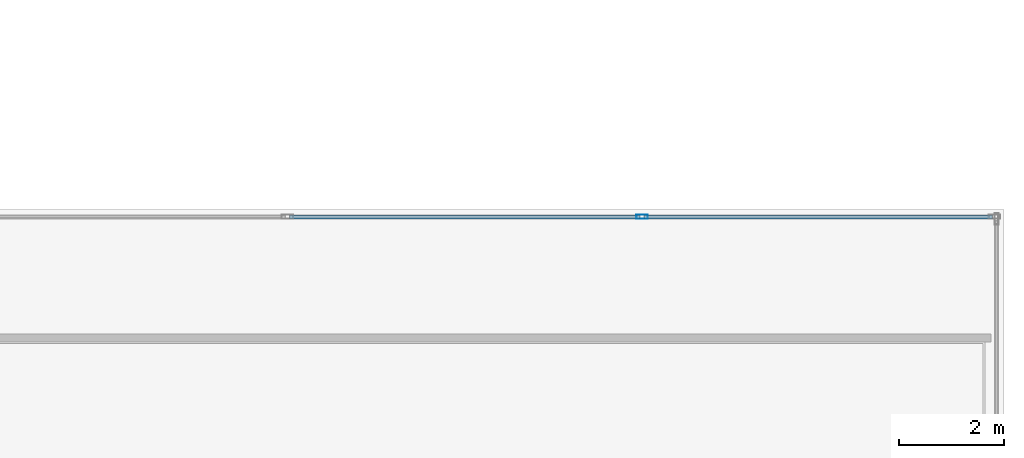
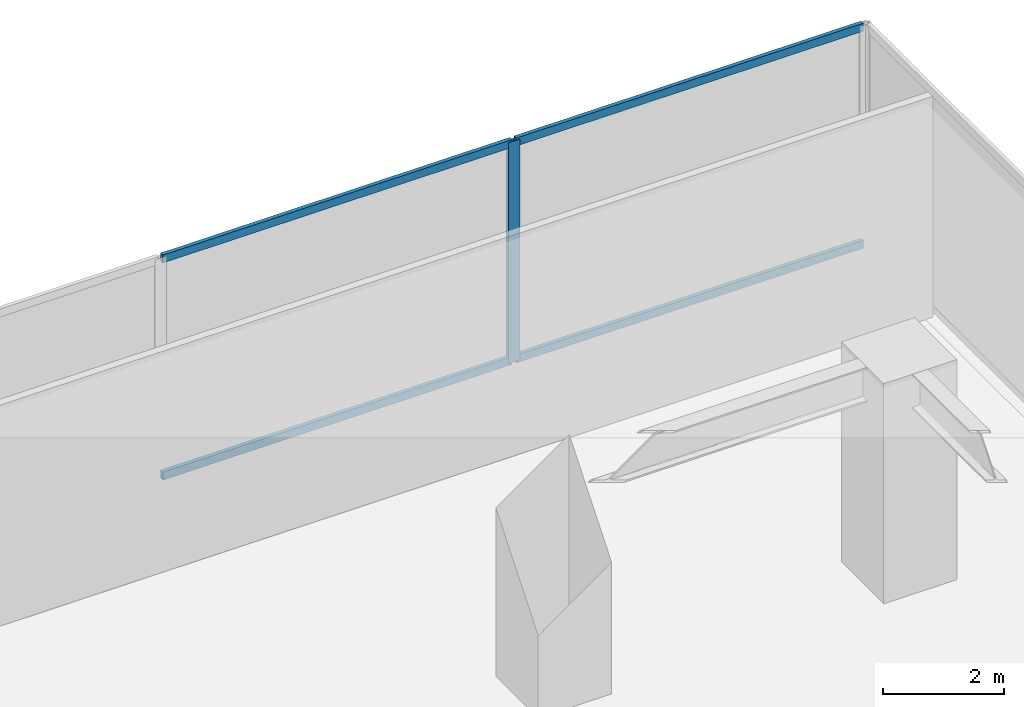
# One storey, part 6 of 16: 5 members, 1 element without a shape of its own.
"""IFC4 building model written with IfcOpenShell, lengths in metres."""

from ifc_helpers import new_model, si_unit, direction, frame, origin, origin_with_axes, origin_2d, place, context, subcontext, project, spatial, hollow_rectangle, extrude, source, transform, mapped, material, layer, layer_set, material_profile, profile_set, type_object, element, aggregate, save


model = new_model("IFC4")

# Units and contexts
model_context = context("Model", 3, precision=1e-05, world=origin(), true_north=direction((0.0, 1.0)))
body_context = subcontext(model_context, "Body", "Model", "MODEL_VIEW")
ifc_project = project(units=[si_unit("LENGTHUNIT", "METRE"), si_unit("AREAUNIT", "SQUARE_METRE"), si_unit("VOLUMEUNIT", "CUBIC_METRE"), si_unit("PLANEANGLEUNIT", "RADIAN"), si_unit("MASSUNIT", "GRAM", prefix="KILO")], contexts=[model_context])

# Site, building, storey
site_placement = place(None, origin())
site = spatial("IfcSite", under=ifc_project, at=site_placement, CompositionType="ELEMENT")
building_placement = place(site_placement, origin())
building = spatial("IfcBuilding", under=site, at=building_placement, Name="Kolvaren Waterfront Exchange", CompositionType="ELEMENT")
storey_placement = place(building_placement, frame((0.0, 0.0, 10.39990234375)))
storey = spatial("IfcBuildingStorey", under=building, at=storey_placement, Name="L03", CompositionType="ELEMENT", Elevation=10.39990234375)

# Curtain wall, members
ifc_material_1 = material(Name="Anodised bronze aluminium 6063-T6", Category="aluminium")
ifc_layer = layer(ifc_material_1, 0.219970703125, Name="Anodised bronze aluminium 6063-T6")
ifc_layer_set = layer_set([ifc_layer], Name="Anodised bronze aluminium 6063-T6")
curtain_wall_type = type_object("IfcCurtainWallType", Name="ARC-CW-SYS4", PredefinedType="USERDEFINED", material=ifc_layer_set)
curtain_wall_placement = place(storey_placement, origin())
curtain_wall = element("IfcCurtainWall", 1, at=curtain_wall_placement, inside=storey, type_object=curtain_wall_type, Name="L03 stick curtain wall CW4 (CW-L03-E2)", ObjectType="STICK CURTAIN WALL", PredefinedType="USERDEFINED")
ifc_material_2 = material(Name="Anodised aluminium 6063-T6", Category="aluminium")
ifc_material_profile_1 = material_profile(ifc_material_2, hollow_rectangle(XDim=0.074951171875, YDim=0.159912109375, WallThickness=0.00439453125, at=origin_2d()), Name="ALU-TRN-160x75x4.5")
ifc_profile_set_1 = profile_set([ifc_material_profile_1], Name="Anodised aluminium 6063-T6")
member_type_1 = type_object("IfcMemberType", Name="ARC-CWT-160", PredefinedType="USERDEFINED", material=ifc_profile_set_1)
shared_shape_1 = source(origin_with_axes(), body_context, "Body", "SweptSolid", [
    extrude(hollow_rectangle(XDim=0.074951171875, YDim=0.159912109375, WallThickness=0.00439453125, at=origin_2d()), origin(), (0.0, 0.0, 1.0), 6.632568359375),
])
member_1_placement = place(storey_placement, frame((64.580078125, 39.06005859375, 0.03759765625), z_axis=(-1.0, 0.0, 0.0), x_axis=(0.0, -1.0, 0.0)))
member_1 = element("IfcMember", 2, at=member_1_placement, type_object=member_type_1, Name="CW4 transom 1.1", ObjectType="TRANSOM", PredefinedType="USERDEFINED", context=body_context, shape_type="MappedRepresentation", body=[
    mapped(shared_shape_1, transform((0.0, 0.0, 0.0), x_axis=(1.0, 0.0, 0.0), y_axis=(0.0, 1.0, 0.0), z_axis=(0.0, 0.0, 1.0), scale=1.0)),
])
member_2_placement = place(storey_placement, frame((64.580078125, 39.06005859375, 4.422607421875), z_axis=(-1.0, 0.0, 0.0), x_axis=(0.0, -1.0, 0.0)))
member_2 = element("IfcMember", 3, at=member_2_placement, type_object=member_type_1, Name="CW4 transom 1.2", ObjectType="TRANSOM", PredefinedType="USERDEFINED", context=body_context, shape_type="MappedRepresentation", body=[
    mapped(shared_shape_1, transform((0.0, 0.0, 0.0), x_axis=(1.0, 0.0, 0.0), y_axis=(0.0, 1.0, 0.0), z_axis=(0.0, 0.0, 1.0), scale=1.0)),
])
shared_shape_2 = source(origin_with_axes(), body_context, "Body", "SweptSolid", [
    extrude(hollow_rectangle(XDim=0.074951171875, YDim=0.159912109375, WallThickness=0.00439453125, at=origin_2d()), origin(), (0.0, 0.0, 1.0), 6.67236328125),
])
member_3_placement = place(storey_placement, frame((57.867431640625, 39.06005859375, 0.03759765625), z_axis=(-1.0, 0.0, 0.0), x_axis=(0.0, -1.0, 0.0)))
member_3 = element("IfcMember", 4, at=member_3_placement, type_object=member_type_1, Name="CW4 transom 2.1", ObjectType="TRANSOM", PredefinedType="USERDEFINED", context=body_context, shape_type="MappedRepresentation", body=[
    mapped(shared_shape_2, transform((0.0, 0.0, 0.0), x_axis=(1.0, 0.0, 0.0), y_axis=(0.0, 1.0, 0.0), z_axis=(0.0, 0.0, 1.0), scale=1.0)),
])
member_4_placement = place(storey_placement, frame((57.867431640625, 39.06005859375, 4.422607421875), z_axis=(-1.0, 0.0, 0.0), x_axis=(0.0, -1.0, 0.0)))
member_4 = element("IfcMember", 5, at=member_4_placement, type_object=member_type_1, Name="CW4 transom 2.2", ObjectType="TRANSOM", PredefinedType="USERDEFINED", context=body_context, shape_type="MappedRepresentation", body=[
    mapped(shared_shape_2, transform((0.0, 0.0, 0.0), x_axis=(1.0, 0.0, 0.0), y_axis=(0.0, 1.0, 0.0), z_axis=(0.0, 0.0, 1.0), scale=1.0)),
])
ifc_material_profile_2 = material_profile(ifc_material_2, hollow_rectangle(XDim=0.080078125, YDim=0.219970703125, WallThickness=0.0048828125, at=origin_2d()), Name="ALU-MUL-220x80x5")
ifc_profile_set_2 = profile_set([ifc_material_profile_2], Name="Anodised aluminium 6063-T6")
member_type_2 = type_object("IfcMemberType", Name="ARC-CWM-220", PredefinedType="MULLION", material=ifc_profile_set_2)
shared_shape_3 = source(origin_with_axes(), body_context, "Body", "SweptSolid", [
    extrude(hollow_rectangle(XDim=0.080078125, YDim=0.219970703125, WallThickness=0.0048828125, at=origin_2d()), origin(), (0.0, 0.0, 1.0), 4.460205078125),
])
member_5_placement = place(storey_placement, frame((57.907470703125, 39.06005859375, 0.0), z_axis=(0.0, 0.0, 1.0), x_axis=(0.0, -1.0, 0.0)))
member_5 = element("IfcMember", 6, at=member_5_placement, type_object=member_type_2, Name="CW4 mullion 2", PredefinedType="MULLION", context=body_context, shape_type="MappedRepresentation", body=[
    mapped(shared_shape_3, transform((0.0, 0.0, 0.0), x_axis=(1.0, 0.0, 0.0), y_axis=(0.0, 1.0, 0.0), z_axis=(0.0, 0.0, 1.0), scale=1.0)),
])
aggregate(curtain_wall, [member_5, member_1, member_2, member_3, member_4])

save(model, "model.ifc")
